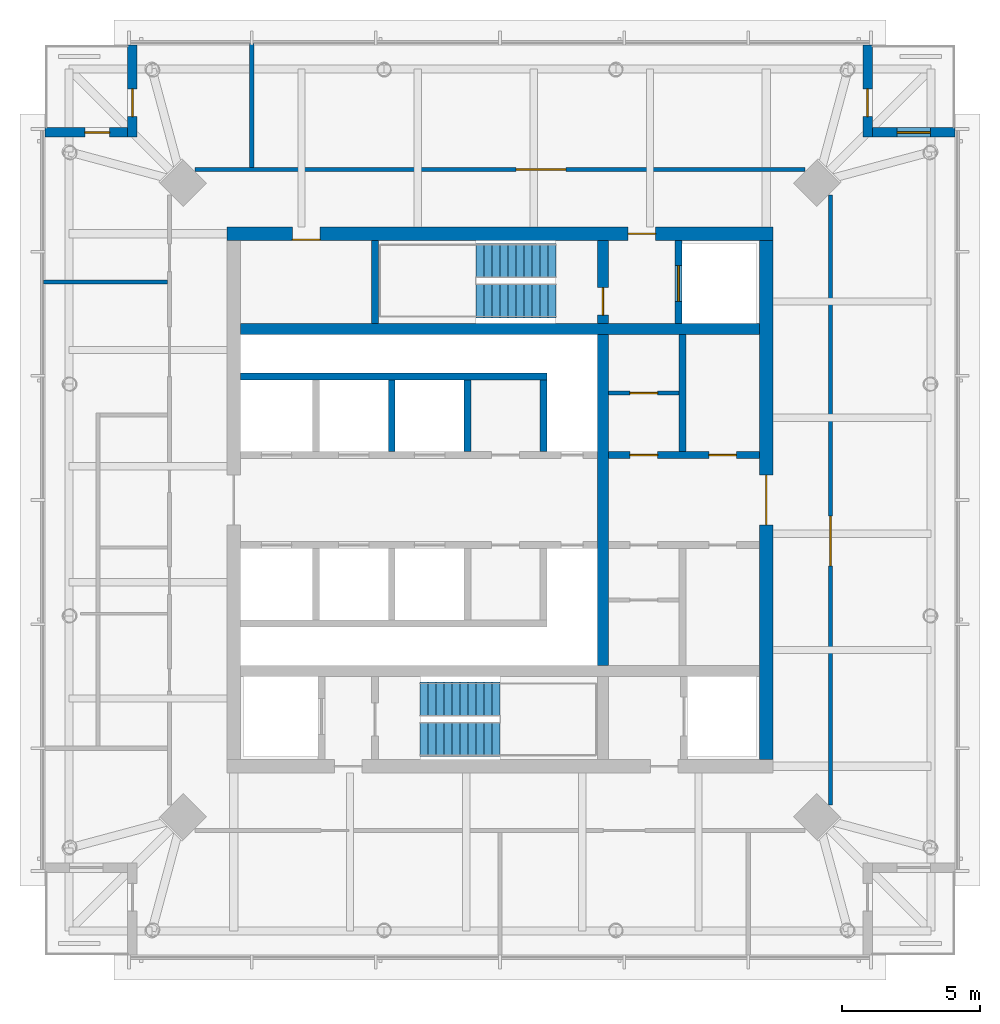
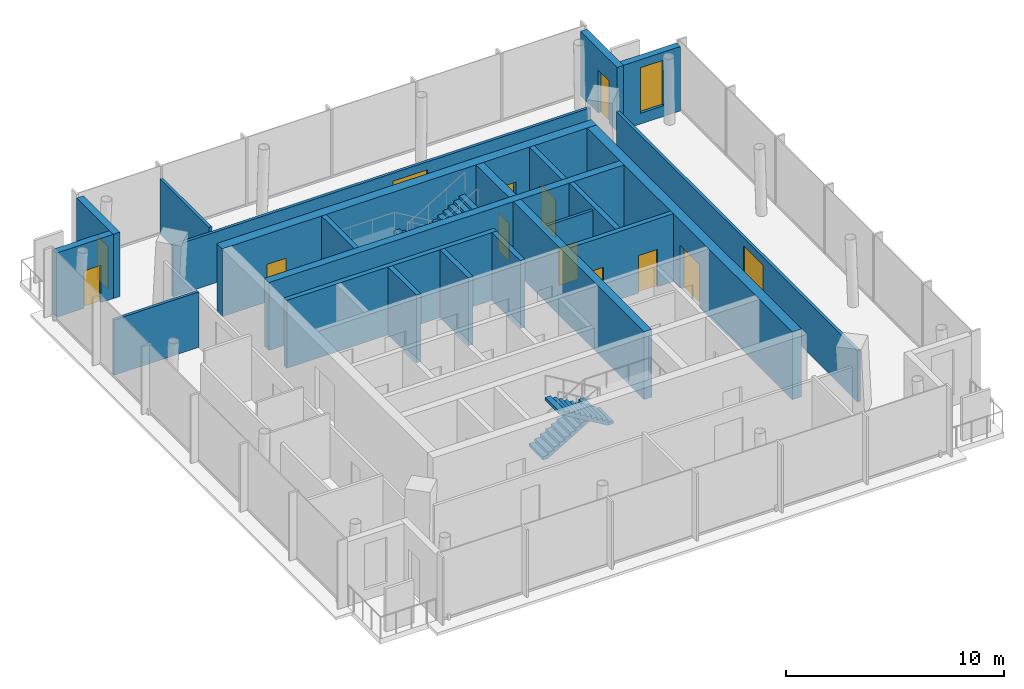
# One storey, part 5 of 8: 22 walls, 13 doors, 4 stair flights, 1 window, 14 openings, 2 elements without a shape of their own.
"""IFC4 building model written with IfcOpenShell, lengths in metres."""

from ifc_helpers import new_model, si_unit, direction, frame, frame_2d, origin, place, context, subcontext, project, spatial, polyline, rectangle, outline, extrude, material, layer, layer_set, type_object, element, fill, aggregate, save


model = new_model("IFC4")

# Units and contexts
model_context = context("Model", 3, precision=1e-05, world=origin(), true_north=direction((0.0, 1.0)))
body_context = subcontext(model_context, "Body", "Model", "MODEL_VIEW")
ifc_project = project(units=[si_unit("LENGTHUNIT", "METRE"), si_unit("AREAUNIT", "SQUARE_METRE"), si_unit("VOLUMEUNIT", "CUBIC_METRE"), si_unit("PLANEANGLEUNIT", "RADIAN"), si_unit("MASSUNIT", "GRAM", prefix="KILO")], contexts=[model_context])

# Site, building, storey
site_placement = place(None, origin())
site = spatial("IfcSite", under=ifc_project, at=site_placement, CompositionType="ELEMENT")
building_placement = place(site_placement, origin())
building = spatial("IfcBuilding", under=site, at=building_placement, Name="Ostroluk Exchange", CompositionType="ELEMENT")
storey_placement = place(building_placement, frame((0.0, 0.0, 283.199951171875)))
storey = spatial("IfcBuildingStorey", under=building, at=storey_placement, Name="L73", CompositionType="ELEMENT", Elevation=283.199951171875)

# Wall, opening, door
ifc_material_1 = material(Name="Concrete blockwork", Category="masonry")
ifc_layer_1 = layer(ifc_material_1, 0.14990234375)
ifc_layer_set_1 = layer_set([ifc_layer_1], Name="Blockwork plant room wall 150")
wall_type_1 = type_object("IfcWallType", Name="Blockwork plant room wall 150", PredefinedType="SOLIDWALL", material=ifc_layer_set_1)
wall_1_placement = place(storey_placement, frame((48.929931640625, 49.875, 0.0), z_axis=(0.0, 0.0, 1.0), x_axis=(1.0, 0.0, 0.0)))
wall_1 = element("IfcWall", 1, at=wall_1_placement, inside=storey, type_object=wall_type_1, Name="Core room wall", PredefinedType="SOLIDWALL", context=body_context, shape_type="SweptSolid", body=[
    extrude(rectangle(XDim=2.56005859375, YDim=0.14990234375, at=frame_2d((1.280029296875, 0.0))), origin(), (0.0, 0.0, 1.0), 3.60009765625),
])
opening_1_placement = place(wall_1_placement, frame((0.780029296875, 0.0, 0.0)))
opening_1 = element("IfcOpeningElement", 2, at=opening_1_placement, cuts=wall_1, Name="Opening FD60", PredefinedType="OPENING", context=body_context, shape_type="SweptSolid", body=[
    extrude(rectangle(XDim=1.0, YDim=2.10009765625, at=frame_2d((0.5, 1.050048828125))), frame((0.0, 0.0849609375, 0.0), z_axis=(0.0, -1.0, 0.0), x_axis=(1.0, 0.0, 0.0)), (0.0, 0.0, 1.0), 0.169921875),
])
ifc_material_2 = material(Name="Steel", Category="steel")
door_type_1 = type_object("IfcDoorType", Name="Fire door EI 60 1000 x 2100", OperationType="SINGLE_SWING_LEFT", PredefinedType="DOOR", material=ifc_material_2)
door_1_placement = place(opening_1_placement, origin())
door_1 = element("IfcDoor", 3, at=door_1_placement, inside=storey, type_object=door_type_1, Name="Stationery store door", OperationType="SINGLE_SWING_LEFT", OverallHeight=2.10009765625, OverallWidth=1.0, PredefinedType="DOOR", context=body_context, shape_type="SweptSolid", body=[
    extrude(rectangle(XDim=1.0, YDim=2.10009765625, at=frame_2d((0.5, 1.050048828125))), frame((0.0, 0.02490234375, 0.0), z_axis=(0.0, -1.0, 0.0), x_axis=(1.0, 0.0, 0.0)), (0.0, 0.0, 1.0), 0.050048828125),
])
fill(opening_1, door_1)

# Walls
wall_2_placement = place(storey_placement, frame((32.949951171875, 53.89990234375, 0.0), z_axis=(0.0, 0.0, 1.0), x_axis=(-1.0, 0.0, 0.0)))
element("IfcWall", 4, at=wall_2_placement, inside=storey, type_object=wall_type_1, Name="Plant room wall", PredefinedType="SOLIDWALL", context=body_context, shape_type="SweptSolid", body=[
    extrude(rectangle(XDim=4.489990234375, YDim=0.14990234375, at=frame_2d((2.2451171875, 0.0))), origin(), (0.0, 0.0, 1.0), 3.10009765625),
])
ifc_material_3 = material(Name="Concrete C50/60", Category="concrete")
ifc_layer_2 = layer(ifc_material_3, 0.39990234375)
ifc_layer_set_2 = layer_set([ifc_layer_2], Name="Core cross wall 400 C50/60")
wall_type_2 = type_object("IfcWallType", Name="Core cross wall 400 C50/60", PredefinedType="SHEAR", material=ifc_layer_set_2)
wall_3_placement = place(storey_placement, frame((35.60009765625, 52.199951171875, 0.0), z_axis=(0.0, 0.0, 1.0), x_axis=(1.0, 0.0, 0.0)))
element("IfcWall", 5, at=wall_3_placement, inside=storey, type_object=wall_type_2, Name="T1 core wall XN", PredefinedType="SHEAR", context=body_context, shape_type="SweptSolid", body=[
    extrude(rectangle(XDim=18.7998046875, YDim=0.39990234375, at=frame_2d((9.39990234375, 0.0))), origin(), (0.0, 0.0, 1.0), 3.800048828125),
])
wall_4_placement = place(storey_placement, frame((48.72998046875, 40.0, 0.0), z_axis=(0.0, 0.0, 1.0), x_axis=(0.0, 1.0, 0.0)))
element("IfcWall", 6, at=wall_4_placement, inside=storey, type_object=wall_type_2, Name="T1 core wall YE2", PredefinedType="SHEAR", context=body_context, shape_type="SweptSolid", body=[
    extrude(rectangle(XDim=12.0, YDim=0.39990234375, at=frame_2d((6.0, 0.0))), origin(), (0.0, 0.0, 1.0), 3.800048828125),
])

# Wall, opening, door
wall_5_placement = place(storey_placement, frame((48.72998046875, 52.39990234375, 0.0), z_axis=(0.0, 0.0, 1.0), x_axis=(0.0, 1.0, 0.0)))
wall_5 = element("IfcWall", 7, at=wall_5_placement, inside=storey, type_object=wall_type_2, Name="T1 core wall YE3", PredefinedType="SHEAR", context=body_context, shape_type="SweptSolid", body=[
    extrude(rectangle(XDim=3.0, YDim=0.39990234375, at=frame_2d((1.5, 0.0))), origin(), (0.0, 0.0, 1.0), 3.800048828125),
])
opening_2_placement = place(wall_5_placement, frame((0.300048828125, 0.0, 0.0)))
opening_2 = element("IfcOpeningElement", 8, at=opening_2_placement, cuts=wall_5, Name="Opening FD60", PredefinedType="OPENING", context=body_context, shape_type="SweptSolid", body=[
    extrude(rectangle(XDim=1.0, YDim=2.10009765625, at=frame_2d((0.5, 1.050048828125))), frame((0.0, 0.2099609375, 0.0), z_axis=(0.0, -1.0, 0.0), x_axis=(1.0, 0.0, 0.0)), (0.0, 0.0, 1.0), 0.419921875),
])
door_2_placement = place(opening_2_placement, origin())
door_2 = element("IfcDoor", 9, at=door_2_placement, inside=storey, type_object=door_type_1, Name="Stair T1-S2 door", OperationType="SINGLE_SWING_LEFT", OverallHeight=2.10009765625, OverallWidth=1.0, PredefinedType="DOOR", context=body_context, shape_type="SweptSolid", body=[
    extrude(rectangle(XDim=1.0, YDim=2.10009765625, at=frame_2d((0.5, 1.050048828125))), frame((0.0, 0.02490234375, 0.0), z_axis=(0.0, -1.0, 0.0), x_axis=(1.0, 0.0, 0.0)), (0.0, 0.0, 1.0), 0.050048828125),
])
fill(opening_2, door_2)

# Wall
ifc_material_4 = material(Name="Concrete C40/50", Category="concrete")
ifc_layer_3 = layer(ifc_material_4, 0.25)
ifc_layer_set_3 = layer_set([ifc_layer_3], Name="Core shaft wall 250")
wall_type_3 = type_object("IfcWallType", Name="Core shaft wall 250", PredefinedType="SHEAR", material=ifc_layer_set_3)
wall_6_placement = place(storey_placement, frame((40.47509765625, 52.39990234375, 0.0), z_axis=(0.0, 0.0, 1.0), x_axis=(0.0, 1.0, 0.0)))
element("IfcWall", 10, at=wall_6_placement, inside=storey, type_object=wall_type_3, Name="Stair shaft wall", PredefinedType="SHEAR", context=body_context, shape_type="SweptSolid", body=[
    extrude(rectangle(XDim=3.0, YDim=0.25, at=frame_2d((1.5, 0.0))), origin(), (0.0, 0.0, 1.0), 3.800048828125),
])

# Wall, opening, door
wall_7_placement = place(storey_placement, frame((51.47509765625, 52.39990234375, 0.0), z_axis=(0.0, 0.0, 1.0), x_axis=(0.0, 1.0, 0.0)))
wall_7 = element("IfcWall", 11, at=wall_7_placement, inside=storey, type_object=wall_type_3, Name="Firefighting lift shaft wall", PredefinedType="SHEAR", context=body_context, shape_type="SweptSolid", body=[
    extrude(rectangle(XDim=3.0, YDim=0.25, at=frame_2d((1.5, 0.0))), origin(), (0.0, 0.0, 1.0), 3.800048828125),
])
opening_3_placement = place(wall_7_placement, frame((0.800048828125, 0.0, 0.0)))
opening_3 = element("IfcOpeningElement", 12, at=opening_3_placement, cuts=wall_7, Name="Opening LD2", PredefinedType="OPENING", context=body_context, shape_type="SweptSolid", body=[
    extrude(rectangle(XDim=1.300048828125, YDim=2.199951171875, at=frame_2d((0.64990234375, 1.10009765625))), frame((0.0, 0.135009765625, 0.0), z_axis=(0.0, -1.0, 0.0), x_axis=(1.0, 0.0, 0.0)), (0.0, 0.0, 1.0), 0.27001953125),
])
ifc_material_5 = material(Name="Stainless steel", Category="steel")
door_type_2 = type_object("IfcDoorType", Name="Lift landing door E 60 1300 x 2200", OperationType="DOUBLE_DOOR_SLIDING", PredefinedType="DOOR", material=ifc_material_5)
door_3_placement = place(opening_3_placement, origin())
door_3 = element("IfcDoor", 13, at=door_3_placement, inside=storey, type_object=door_type_2, Name="Lift FL2 landing door", OperationType="DOUBLE_DOOR_SLIDING", OverallHeight=2.199951171875, OverallWidth=1.300048828125, PredefinedType="DOOR", context=body_context, shape_type="SweptSolid", body=[
    extrude(rectangle(XDim=1.300048828125, YDim=2.199951171875, at=frame_2d((0.64990234375, 1.10009765625))), frame((0.0, 0.02490234375, 0.0), z_axis=(0.0, -1.0, 0.0), x_axis=(1.0, 0.0, 0.0)), (0.0, 0.0, 1.0), 0.050048828125),
])
fill(opening_3, door_3)

# Walls
for number, where, z_axis, x_axis, name in (
    (14, (41.074951171875, 47.75, 0.0), (0.0, 0.0, 1.0), (0.0, 1.0, 0.0), "Lift shaft wall"),
    (15, (43.824951171875, 47.75, 0.0), (0.0, 0.0, 1.0), (0.0, 1.0, 0.0), "Lift shaft wall"),
    (16, (46.574951171875, 47.75, 0.0), (0.0, 0.0, 1.0), (0.0, 1.0, 0.0), "Lift shaft wall"),
):
    element("IfcWall", number, at=place(storey_placement, frame(where, z_axis=z_axis, x_axis=x_axis)), inside=storey, type_object=wall_type_3, Name=name, PredefinedType="SHEAR", context=body_context, shape_type="SweptSolid", body=[
        extrude(rectangle(XDim=2.60009765625, YDim=0.25, at=frame_2d((1.300048828125, 0.0))), origin(), (0.0, 0.0, 1.0), 3.800048828125),
    ])
wall_8_placement = place(storey_placement, frame((35.60009765625, 50.47509765625, 0.0), z_axis=(0.0, 0.0, 1.0), x_axis=(1.0, 0.0, 0.0)))
element("IfcWall", 17, at=wall_8_placement, inside=storey, type_object=wall_type_3, Name="Lift shaft wall", PredefinedType="SHEAR", context=body_context, shape_type="SweptSolid", body=[
    extrude(rectangle(XDim=11.099853515625, YDim=0.25, at=frame_2d((5.5498046875, 0.0))), origin(), (0.0, 0.0, 1.0), 3.800048828125),
])
wall_9_placement = place(storey_placement, frame((51.614990234375, 47.75, 0.0), z_axis=(0.0, 0.0, 1.0), x_axis=(0.0, 1.0, 0.0)))
element("IfcWall", 18, at=wall_9_placement, inside=storey, type_object=wall_type_3, Name="Lift shaft wall", PredefinedType="SHEAR", context=body_context, shape_type="SweptSolid", body=[
    extrude(rectangle(XDim=4.25, YDim=0.25, at=frame_2d((2.125, 0.0))), origin(), (0.0, 0.0, 1.0), 3.800048828125),
])

# Wall, openings, doors
wall_10_placement = place(storey_placement, frame((48.929931640625, 47.625, 0.0), z_axis=(0.0, 0.0, 1.0), x_axis=(1.0, 0.0, 0.0)))
wall_10 = element("IfcWall", 19, at=wall_10_placement, inside=storey, type_object=wall_type_3, Name="Lift shaft front wall", PredefinedType="SHEAR", context=body_context, shape_type="SweptSolid", body=[
    extrude(rectangle(XDim=5.469970703125, YDim=0.25, at=frame_2d((2.73486328125, 0.0))), origin(), (0.0, 0.0, 1.0), 3.800048828125),
])
opening_4_placement = place(wall_10_placement, frame((0.780029296875, 0.0, 0.0)))
opening_4 = element("IfcOpeningElement", 20, at=opening_4_placement, cuts=wall_10, Name="Opening FD60", PredefinedType="OPENING", context=body_context, shape_type="SweptSolid", body=[
    extrude(rectangle(XDim=1.0, YDim=2.10009765625, at=frame_2d((0.5, 1.050048828125))), frame((0.0, 0.135009765625, 0.0), z_axis=(0.0, -1.0, 0.0), x_axis=(1.0, 0.0, 0.0)), (0.0, 0.0, 1.0), 0.27001953125),
])
opening_5_placement = place(wall_10_placement, frame((3.639892578125, 0.0, 0.0)))
opening_5 = element("IfcOpeningElement", 21, at=opening_5_placement, cuts=wall_10, Name="Opening FD60", PredefinedType="OPENING", context=body_context, shape_type="SweptSolid", body=[
    extrude(rectangle(XDim=1.0, YDim=2.10009765625, at=frame_2d((0.5, 1.050048828125))), frame((0.0, 0.135009765625, 0.0), z_axis=(0.0, -1.0, 0.0), x_axis=(1.0, 0.0, 0.0)), (0.0, 0.0, 1.0), 0.27001953125),
])
door_4_placement = place(opening_4_placement, origin())
door_4 = element("IfcDoor", 22, at=door_4_placement, inside=storey, type_object=door_type_1, Name="Core room door", OperationType="SINGLE_SWING_LEFT", OverallHeight=2.10009765625, OverallWidth=1.0, PredefinedType="DOOR", context=body_context, shape_type="SweptSolid", body=[
    extrude(rectangle(XDim=1.0, YDim=2.10009765625, at=frame_2d((0.5, 1.050048828125))), frame((0.0, 0.02490234375, 0.0), z_axis=(0.0, -1.0, 0.0), x_axis=(1.0, 0.0, 0.0)), (0.0, 0.0, 1.0), 0.050048828125),
])
fill(opening_4, door_4)
door_5_placement = place(opening_5_placement, origin())
door_5 = element("IfcDoor", 23, at=door_5_placement, inside=storey, type_object=door_type_1, Name="Core room door", OperationType="SINGLE_SWING_RIGHT", OverallHeight=2.10009765625, OverallWidth=1.0, PredefinedType="DOOR", context=body_context, shape_type="SweptSolid", body=[
    extrude(rectangle(XDim=1.0, YDim=2.10009765625, at=frame_2d((0.5, 1.050048828125))), frame((0.0, 0.02490234375, 0.0), z_axis=(0.0, -1.0, 0.0), x_axis=(1.0, 0.0, 0.0)), (0.0, 0.0, 1.0), 0.050048828125),
])
fill(opening_5, door_5)

ifc_material_6 = material(Name="Concrete C50/60", Category="concrete")
ifc_layer_4 = layer(ifc_material_6, 0.5)
ifc_layer_set_4 = layer_set([ifc_layer_4], Name="Core wall 500 C50/60")
wall_type_4 = type_object("IfcWallType", Name="Core wall 500 C50/60", PredefinedType="SHEAR", material=ifc_layer_set_4)
wall_11_placement = place(storey_placement, frame((35.10009765625, 55.64990234375, 0.0), z_axis=(0.0, 0.0, 1.0), x_axis=(1.0, 0.0, 0.0)))
wall_11 = element("IfcWall", 24, at=wall_11_placement, inside=storey, type_object=wall_type_4, Name="T1 core wall N", PredefinedType="SHEAR", context=body_context, shape_type="SweptSolid", body=[
    extrude(rectangle(XDim=19.7998046875, YDim=0.5, at=frame_2d((9.89990234375, 0.0))), origin(), (0.0, 0.0, 1.0), 3.800048828125),
])
opening_6_placement = place(wall_11_placement, frame((14.5400390625, 0.0, 0.0)))
opening_6 = element("IfcOpeningElement", 25, at=opening_6_placement, cuts=wall_11, Name="Opening FD60", PredefinedType="OPENING", context=body_context, shape_type="SweptSolid", body=[
    extrude(rectangle(XDim=1.0, YDim=2.10009765625, at=frame_2d((0.5, 1.050048828125))), frame((0.0, 0.260009765625, 0.0), z_axis=(0.0, -1.0, 0.0), x_axis=(1.0, 0.0, 0.0)), (0.0, 0.0, 1.0), 0.52001953125),
])
opening_7_placement = place(wall_11_placement, frame((2.375, 0.0, 0.0)))
opening_7 = element("IfcOpeningElement", 26, at=opening_7_placement, cuts=wall_11, Name="Opening FD60", PredefinedType="OPENING", context=body_context, shape_type="SweptSolid", body=[
    extrude(rectangle(XDim=1.0, YDim=2.10009765625, at=frame_2d((0.5, 1.050048828125))), frame((0.0, 0.260009765625, 0.0), z_axis=(0.0, -1.0, 0.0), x_axis=(1.0, 0.0, 0.0)), (0.0, 0.0, 1.0), 0.52001953125),
])
door_6_placement = place(opening_6_placement, origin())
door_6 = element("IfcDoor", 27, at=door_6_placement, inside=storey, type_object=door_type_1, Name="Firefighting lobby door", OperationType="SINGLE_SWING_RIGHT", OverallHeight=2.10009765625, OverallWidth=1.0, PredefinedType="DOOR", context=body_context, shape_type="SweptSolid", body=[
    extrude(rectangle(XDim=1.0, YDim=2.10009765625, at=frame_2d((0.5, 1.050048828125))), frame((0.0, 0.02490234375, 0.0), z_axis=(0.0, -1.0, 0.0), x_axis=(1.0, 0.0, 0.0)), (0.0, 0.0, 1.0), 0.050048828125),
])
fill(opening_6, door_6)
door_7_placement = place(opening_7_placement, origin())
door_7 = element("IfcDoor", 28, at=door_7_placement, inside=storey, type_object=door_type_1, Name="Tea point door", OperationType="SINGLE_SWING_LEFT", OverallHeight=2.10009765625, OverallWidth=1.0, PredefinedType="DOOR", context=body_context, shape_type="SweptSolid", body=[
    extrude(rectangle(XDim=1.0, YDim=2.10009765625, at=frame_2d((0.5, 1.050048828125))), frame((0.0, -0.18994140625, 0.0), z_axis=(0.0, -1.0, 0.0), x_axis=(1.0, 0.0, 0.0)), (0.0, 0.0, 1.0), 0.050048828125),
])
fill(opening_7, door_7)

# Wall, opening, door
wall_12_placement = place(storey_placement, frame((54.64990234375, 36.60009765625, 0.0), z_axis=(0.0, 0.0, 1.0), x_axis=(0.0, 1.0, 0.0)))
wall_12 = element("IfcWall", 29, at=wall_12_placement, inside=storey, type_object=wall_type_4, Name="T1 core wall E", PredefinedType="SHEAR", context=body_context, shape_type="SweptSolid", body=[
    extrude(rectangle(XDim=18.7998046875, YDim=0.5, at=frame_2d((9.39990234375, 0.0))), origin(), (0.0, 0.0, 1.0), 3.800048828125),
])
opening_8_placement = place(wall_12_placement, frame((8.5, 0.0, 0.0)))
opening_8 = element("IfcOpeningElement", 30, at=opening_8_placement, cuts=wall_12, Name="Opening FD30D", PredefinedType="OPENING", context=body_context, shape_type="SweptSolid", body=[
    extrude(rectangle(XDim=1.800048828125, YDim=2.39990234375, at=frame_2d((0.89990234375, 1.199951171875))), frame((0.0, 0.260009765625, 0.0), z_axis=(0.0, -1.0, 0.0), x_axis=(1.0, 0.0, 0.0)), (0.0, 0.0, 1.0), 0.52001953125),
])
ifc_material_7 = material(Name="Timber", Category="wood")
door_type_3 = type_object("IfcDoorType", Name="Lobby double door EI 30 1800 x 2400", OperationType="DOUBLE_DOOR_SINGLE_SWING", PredefinedType="DOOR", material=ifc_material_7)
door_8_placement = place(opening_8_placement, origin())
door_8 = element("IfcDoor", 31, at=door_8_placement, inside=storey, type_object=door_type_3, Name="Lift lobby doors", OperationType="DOUBLE_DOOR_SINGLE_SWING", OverallHeight=2.39990234375, OverallWidth=1.800048828125, PredefinedType="DOOR", context=body_context, shape_type="SweptSolid", body=[
    extrude(rectangle(XDim=1.800048828125, YDim=2.39990234375, at=frame_2d((0.89990234375, 1.199951171875))), frame((0.0, 0.02490234375, 0.0), z_axis=(0.0, -1.0, 0.0), x_axis=(1.0, 0.0, 0.0)), (0.0, 0.0, 1.0), 0.050048828125),
])
fill(opening_8, door_8)

ifc_material_8 = material(Name="Limestone", Category="masonry")
ifc_layer_5 = layer(ifc_material_8, 0.35009765625)
ifc_layer_set_5 = layer_set([ifc_layer_5], Name="Limestone facade wall 350")
wall_type_5 = type_object("IfcWallType", Name="Limestone facade wall 350", PredefinedType="SOLIDWALL", material=ifc_layer_set_5)
wall_13_placement = place(storey_placement, frame((58.324951171875, 62.5, 0.0), z_axis=(0.0, 0.0, 1.0), x_axis=(0.0, -1.0, 0.0)))
wall_13 = element("IfcWall", 32, at=wall_13_placement, inside=storey, type_object=wall_type_5, Name="Office tower NE corner wall L73 a", PredefinedType="SOLIDWALL", context=body_context, shape_type="SweptSolid", body=[
    extrude(rectangle(XDim=3.35009765625, YDim=0.35009765625, at=frame_2d((1.675048828125, 0.0))), origin(), (0.0, 0.0, 1.0), 3.60009765625),
])
opening_9_placement = place(wall_13_placement, frame((1.60009765625, 0.0, 0.0)))
opening_9 = element("IfcOpeningElement", 33, at=opening_9_placement, cuts=wall_13, Name="Opening D-B1", PredefinedType="OPENING", context=body_context, shape_type="SweptSolid", body=[
    extrude(rectangle(XDim=1.0, YDim=2.39990234375, at=frame_2d((0.5, 1.199951171875))), frame((0.0, 0.18505859375, 0.0), z_axis=(0.0, -1.0, 0.0), x_axis=(1.0, 0.0, 0.0)), (0.0, 0.0, 1.0), 0.3701171875),
])
ifc_material_9 = material(Name="Bronze framed glazed door", Category="aluminium")
door_type_4 = type_object("IfcDoorType", Name="Balcony door 1000 x 2400", OperationType="SINGLE_SWING_LEFT", PredefinedType="DOOR", material=ifc_material_9)
door_9_placement = place(opening_9_placement, origin())
door_9 = element("IfcDoor", 34, at=door_9_placement, inside=storey, type_object=door_type_4, Name="Office tower NE balcony door L73", OperationType="SINGLE_SWING_RIGHT", OverallHeight=2.39990234375, OverallWidth=1.0, PredefinedType="DOOR", context=body_context, shape_type="SweptSolid", body=[
    extrude(rectangle(XDim=1.0, YDim=2.39990234375, at=frame_2d((0.5, 1.199951171875))), frame((0.0, 0.02490234375, 0.0), z_axis=(0.0, -1.0, 0.0), x_axis=(1.0, 0.0, 0.0)), (0.0, 0.0, 1.0), 0.050048828125),
])
fill(opening_9, door_9)

# Wall, opening, window
wall_14_placement = place(storey_placement, frame((58.5, 59.324951171875, 0.0), z_axis=(0.0, 0.0, 1.0), x_axis=(1.0, 0.0, 0.0)))
wall_14 = element("IfcWall", 35, at=wall_14_placement, inside=storey, type_object=wall_type_5, Name="Office tower NE corner wall L73 b", PredefinedType="SOLIDWALL", context=body_context, shape_type="SweptSolid", body=[
    extrude(rectangle(XDim=3.0, YDim=0.35009765625, at=frame_2d((1.5, 0.0))), origin(), (0.0, 0.0, 1.0), 3.60009765625),
])
opening_10_placement = place(wall_14_placement, frame((0.89990234375, 0.0, 0.60009765625)))
opening_10 = element("IfcOpeningElement", 36, at=opening_10_placement, cuts=wall_14, Name="Opening WN-L1", PredefinedType="OPENING", context=body_context, shape_type="SweptSolid", body=[
    extrude(rectangle(XDim=1.199951171875, YDim=2.550048828125, at=frame_2d((0.60009765625, 1.27490234375))), frame((0.0, 0.18505859375, 0.0), z_axis=(0.0, -1.0, 0.0), x_axis=(1.0, 0.0, 0.0)), (0.0, 0.0, 1.0), 0.3701171875),
])
ifc_material_10 = material(Name="Laminated clear glass", Category="glass")
window_type = type_object("IfcWindowType", Name="Lancet window 1200 x 2550", PartitioningType="SINGLE_PANEL", PredefinedType="WINDOW", material=ifc_material_10)
window_placement = place(opening_10_placement, origin())
window = element("IfcWindow", 37, at=window_placement, inside=storey, type_object=window_type, Name="Office tower NE lancet window L73", OverallHeight=2.550048828125, OverallWidth=1.199951171875, PartitioningType="SINGLE_PANEL", PredefinedType="WINDOW", context=body_context, shape_type="SweptSolid", body=[
    extrude(rectangle(XDim=1.199951171875, YDim=2.550048828125, at=frame_2d((0.60009765625, 1.27490234375))), frame((0.0, 0.030029296875, 0.0), z_axis=(0.0, -1.0, 0.0), x_axis=(1.0, 0.0, 0.0)), (0.0, 0.0, 1.0), 0.06005859375),
])
fill(opening_10, window)

# Wall, opening, door
wall_15_placement = place(storey_placement, frame((31.675048828125, 62.5, 0.0), z_axis=(0.0, 0.0, 1.0), x_axis=(0.0, -1.0, 0.0)))
wall_15 = element("IfcWall", 38, at=wall_15_placement, inside=storey, type_object=wall_type_5, Name="Office tower NW corner wall L73 a", PredefinedType="SOLIDWALL", context=body_context, shape_type="SweptSolid", body=[
    extrude(rectangle(XDim=3.35009765625, YDim=0.35009765625, at=frame_2d((1.675048828125, 0.0))), origin(), (0.0, 0.0, 1.0), 3.60009765625),
])
opening_11_placement = place(wall_15_placement, frame((1.60009765625, 0.0, 0.0)))
opening_11 = element("IfcOpeningElement", 39, at=opening_11_placement, cuts=wall_15, Name="Opening D-B1", PredefinedType="OPENING", context=body_context, shape_type="SweptSolid", body=[
    extrude(rectangle(XDim=1.0, YDim=2.39990234375, at=frame_2d((0.5, 1.199951171875))), frame((0.0, 0.18505859375, 0.0), z_axis=(0.0, -1.0, 0.0), x_axis=(1.0, 0.0, 0.0)), (0.0, 0.0, 1.0), 0.3701171875),
])
door_10_placement = place(opening_11_placement, origin())
door_10 = element("IfcDoor", 40, at=door_10_placement, inside=storey, type_object=door_type_4, Name="Office tower NW balcony door L73", OperationType="SINGLE_SWING_RIGHT", OverallHeight=2.39990234375, OverallWidth=1.0, PredefinedType="DOOR", context=body_context, shape_type="SweptSolid", body=[
    extrude(rectangle(XDim=1.0, YDim=2.39990234375, at=frame_2d((0.5, 1.199951171875))), frame((0.0, 0.02490234375, 0.0), z_axis=(0.0, -1.0, 0.0), x_axis=(1.0, 0.0, 0.0)), (0.0, 0.0, 1.0), 0.050048828125),
])
fill(opening_11, door_10)

wall_16_placement = place(storey_placement, frame((31.5, 59.324951171875, 0.0), z_axis=(0.0, 0.0, 1.0), x_axis=(-1.0, 0.0, 0.0)))
wall_16 = element("IfcWall", 41, at=wall_16_placement, inside=storey, type_object=wall_type_5, Name="Office tower NW corner wall L73 b", PredefinedType="SOLIDWALL", context=body_context, shape_type="SweptSolid", body=[
    extrude(rectangle(XDim=3.0, YDim=0.35009765625, at=frame_2d((1.5, 0.0))), origin(), (0.0, 0.0, 1.0), 3.60009765625),
])
opening_12_placement = place(wall_16_placement, frame((0.64990234375, 0.0, 0.0)))
opening_12 = element("IfcOpeningElement", 42, at=opening_12_placement, cuts=wall_16, Name="Opening D-M1", PredefinedType="OPENING", context=body_context, shape_type="SweptSolid", body=[
    extrude(rectangle(XDim=0.89990234375, YDim=2.10009765625, at=frame_2d((0.449951171875, 1.050048828125))), frame((0.0, 0.18505859375, 0.0), z_axis=(0.0, -1.0, 0.0), x_axis=(1.0, 0.0, 0.0)), (0.0, 0.0, 1.0), 0.3701171875),
])
ifc_material_11 = material(Name="Steel door", Category="steel")
door_type_5 = type_object("IfcDoorType", Name="Maintenance access door 900 x 2100", OperationType="SINGLE_SWING_LEFT", PredefinedType="DOOR", material=ifc_material_11)
door_11_placement = place(opening_12_placement, origin())
door_11 = element("IfcDoor", 43, at=door_11_placement, inside=storey, type_object=door_type_5, Name="Maintenance access door T1 L73 NW", OperationType="SINGLE_SWING_LEFT", OverallHeight=2.10009765625, OverallWidth=0.89990234375, PredefinedType="DOOR", context=body_context, shape_type="SweptSolid", body=[
    extrude(rectangle(XDim=0.89990234375, YDim=2.10009765625, at=frame_2d((0.449951171875, 1.050048828125))), frame((0.0, 0.02490234375, 0.0), z_axis=(0.0, -1.0, 0.0), x_axis=(1.0, 0.0, 0.0)), (0.0, 0.0, 1.0), 0.050048828125),
])
fill(opening_12, door_11)

ifc_material_12 = material(Name="Gypsum plasterboard partition", Category="gypsum")
ifc_layer_6 = layer(ifc_material_12, 0.14990234375)
ifc_layer_set_6 = layer_set([ifc_layer_6], Name="Plasterboard partition 150")
wall_type_6 = type_object("IfcWallType", Name="Plasterboard partition 150", PredefinedType="PARTITIONING", material=ifc_layer_set_6)
wall_17_placement = place(storey_placement, frame((56.97509765625, 34.948486328125, 0.0), z_axis=(0.0, 0.0, 1.0), x_axis=(0.0, 1.0, 0.0)))
wall_17 = element("IfcWall", 44, at=wall_17_placement, inside=storey, type_object=wall_type_6, Name="Corridor wall", PredefinedType="PARTITIONING", context=body_context, shape_type="SweptSolid", body=[
    extrude(rectangle(XDim=22.10302734375, YDim=0.14990234375, at=frame_2d((11.051513671875, 0.0))), origin(), (0.0, 0.0, 1.0), 2.84716796875),
])
opening_13_placement = place(wall_17_placement, frame((8.6640625, 0.0, 0.0)))
opening_13 = element("IfcOpeningElement", 45, at=opening_13_placement, cuts=wall_17, Name="Opening D-04", PredefinedType="OPENING", context=body_context, shape_type="SweptSolid", body=[
    extrude(rectangle(XDim=1.800048828125, YDim=2.39990234375, at=frame_2d((0.89990234375, 1.199951171875))), frame((0.0, 0.0849609375, 0.0), z_axis=(0.0, -1.0, 0.0), x_axis=(1.0, 0.0, 0.0)), (0.0, 0.0, 1.0), 0.169921875),
])
ifc_material_13 = material(Name="Timber", Category="wood")
door_type_6 = type_object("IfcDoorType", Name="Double door 1800 x 2400", OperationType="DOUBLE_DOOR_SINGLE_SWING", PredefinedType="DOOR", material=ifc_material_13)
door_12_placement = place(opening_13_placement, origin())
door_12 = element("IfcDoor", 46, at=door_12_placement, inside=storey, type_object=door_type_6, Name="Winter garden door", OperationType="DOUBLE_DOOR_SINGLE_SWING", OverallHeight=2.39990234375, OverallWidth=1.800048828125, PredefinedType="DOOR", context=body_context, shape_type="SweptSolid", body=[
    extrude(rectangle(XDim=1.800048828125, YDim=2.39990234375, at=frame_2d((0.89990234375, 1.199951171875))), frame((0.0, 0.02490234375, 0.0), z_axis=(0.0, -1.0, 0.0), x_axis=(1.0, 0.0, 0.0)), (0.0, 0.0, 1.0), 0.050048828125),
])
fill(opening_13, door_12)

wall_18_placement = place(storey_placement, frame((56.051513671875, 57.97509765625, 0.0), z_axis=(0.0, 0.0, 1.0), x_axis=(-1.0, 0.0, 0.0)))
wall_18 = element("IfcWall", 47, at=wall_18_placement, inside=storey, type_object=wall_type_6, Name="Corridor wall", PredefinedType="PARTITIONING", context=body_context, shape_type="SweptSolid", body=[
    extrude(rectangle(XDim=22.10302734375, YDim=0.14990234375, at=frame_2d((11.051513671875, 0.0))), origin(), (0.0, 0.0, 1.0), 2.84716796875),
])
opening_14_placement = place(wall_18_placement, frame((8.6640625, 0.0, 0.0)))
opening_14 = element("IfcOpeningElement", 48, at=opening_14_placement, cuts=wall_18, Name="Opening D-04", PredefinedType="OPENING", context=body_context, shape_type="SweptSolid", body=[
    extrude(rectangle(XDim=1.800048828125, YDim=2.39990234375, at=frame_2d((0.89990234375, 1.199951171875))), frame((0.0, 0.0849609375, 0.0), z_axis=(0.0, -1.0, 0.0), x_axis=(1.0, 0.0, 0.0)), (0.0, 0.0, 1.0), 0.169921875),
])
door_13_placement = place(opening_14_placement, origin())
door_13 = element("IfcDoor", 49, at=door_13_placement, inside=storey, type_object=door_type_6, Name="Winter garden door", OperationType="DOUBLE_DOOR_SINGLE_SWING", OverallHeight=2.39990234375, OverallWidth=1.800048828125, PredefinedType="DOOR", context=body_context, shape_type="SweptSolid", body=[
    extrude(rectangle(XDim=1.800048828125, YDim=2.39990234375, at=frame_2d((0.89990234375, 1.199951171875))), frame((0.0, 0.02490234375, 0.0), z_axis=(0.0, -1.0, 0.0), x_axis=(1.0, 0.0, 0.0)), (0.0, 0.0, 1.0), 0.050048828125),
])
fill(opening_14, door_13)

# Wall
wall_19_placement = place(storey_placement, frame((36.0, 58.050048828125, 0.0), z_axis=(0.0, 0.0, 1.0), x_axis=(0.0, 1.0, 0.0)))
element("IfcWall", 50, at=wall_19_placement, inside=storey, type_object=wall_type_6, Name="Partition", PredefinedType="PARTITIONING", context=body_context, shape_type="SweptSolid", body=[
    extrude(rectangle(XDim=4.489990234375, YDim=0.14990234375, at=frame_2d((2.2451171875, 0.0))), origin(), (0.0, 0.0, 1.0), 3.10009765625),
])

# Stair, stair flights
ifc_material_14 = material(Name="Concrete C30/37", Category="concrete")
stair_type = type_object("IfcStairType", Name="Exit stair half turn 3800", PredefinedType="HALF_TURN_STAIR", material=ifc_material_14)
stair_1_placement = place(storey_placement, origin())
stair_1 = element("IfcStair", 51, at=stair_1_placement, inside=storey, type_object=stair_type, Name="Stair T1-S1 L73", PredefinedType="HALF_TURN_STAIR")
ifc_material_15 = material(Name="Concrete C30/37", Category="concrete")
stair_flight_type = type_object("IfcStairFlightType", Name="Stair flight 11 risers 172.7 x 290", PredefinedType="STRAIGHT", material=ifc_material_15)
stair_flight_1_placement = place(storey_placement, frame((42.10009765625, 38.77490234375, 0.0), z_axis=(0.0, 0.0, 1.0), x_axis=(1.0, 0.0, 0.0)))
stair_flight_1 = element("IfcStairFlight", 52, at=stair_flight_1_placement, type_object=stair_flight_type, Name="T1-S1 flight 1", NumberOfRisers=11, NumberOfTreads=10, PredefinedType="STRAIGHT", RiserHeight=0.172727273, TreadLength=0.29, context=body_context, shape_type="SweptSolid", body=[
    extrude(outline(polyline([(0.0, 0.0), (0.0, 0.172607421875), (0.2900390625, 0.172607421875), (0.2900390625, 0.345458984375), (0.580078125, 0.345458984375), (0.580078125, 0.51806640625), (0.8701171875, 0.51806640625), (0.8701171875, 0.69091796875), (1.159912109375, 0.69091796875), (1.159912109375, 0.863525390625), (1.449951171875, 0.863525390625), (1.449951171875, 1.036376953125), (1.739990234375, 1.036376953125), (1.739990234375, 1.208984375), (2.030029296875, 1.208984375), (2.030029296875, 1.3818359375), (2.320068359375, 1.3818359375), (2.320068359375, 1.554443359375), (2.610107421875, 1.554443359375), (2.610107421875, 1.727294921875), (2.89990234375, 1.727294921875), (2.89990234375, 1.89990234375), (2.89990234375, 1.552734375), (0.29296875, 0.0), (0.0, 0.0)])), frame((0.0, 0.625, 0.0), z_axis=(0.0, -1.0, 0.0), x_axis=(1.0, 0.0, 0.0)), (0.0, 0.0, 1.0), 1.25),
])
stair_flight_2_placement = place(storey_placement, frame((45.0, 37.324951171875, 1.900146484375), z_axis=(0.0, 0.0, 1.0), x_axis=(-1.0, 0.0, 0.0)))
stair_flight_2 = element("IfcStairFlight", 53, at=stair_flight_2_placement, type_object=stair_flight_type, Name="T1-S1 flight 2", NumberOfRisers=11, NumberOfTreads=10, PredefinedType="STRAIGHT", RiserHeight=0.172727273, TreadLength=0.29, context=body_context, shape_type="SweptSolid", body=[
    extrude(outline(polyline([(0.0, 0.0), (0.0, 0.172607421875), (0.2900390625, 0.172607421875), (0.2900390625, 0.345458984375), (0.580078125, 0.345458984375), (0.580078125, 0.51806640625), (0.8701171875, 0.51806640625), (0.8701171875, 0.69091796875), (1.159912109375, 0.69091796875), (1.159912109375, 0.863525390625), (1.449951171875, 0.863525390625), (1.449951171875, 1.036376953125), (1.739990234375, 1.036376953125), (1.739990234375, 1.208984375), (2.030029296875, 1.208984375), (2.030029296875, 1.3818359375), (2.320068359375, 1.3818359375), (2.320068359375, 1.554443359375), (2.610107421875, 1.554443359375), (2.610107421875, 1.727294921875), (2.89990234375, 1.727294921875), (2.89990234375, 1.89990234375), (2.89990234375, 1.552734375), (0.29296875, 0.0), (0.0, 0.0)])), frame((0.0, 0.625, 0.0), z_axis=(0.0, -1.0, 0.0), x_axis=(1.0, 0.0, 0.0)), (0.0, 0.0, 1.0), 1.25),
])
aggregate(stair_1, [stair_flight_1, stair_flight_2])

stair_2_placement = place(storey_placement, origin())
stair_2 = element("IfcStair", 54, at=stair_2_placement, inside=storey, type_object=stair_type, Name="Stair T1-S2 L73", PredefinedType="HALF_TURN_STAIR")
stair_flight_3_placement = place(storey_placement, frame((47.030029296875, 54.675048828125, 0.0), z_axis=(0.0, 0.0, 1.0), x_axis=(-1.0, 0.0, 0.0)))
stair_flight_3 = element("IfcStairFlight", 55, at=stair_flight_3_placement, type_object=stair_flight_type, Name="T1-S2 flight 1", NumberOfRisers=11, NumberOfTreads=10, PredefinedType="STRAIGHT", RiserHeight=0.172727273, TreadLength=0.29, context=body_context, shape_type="SweptSolid", body=[
    extrude(outline(polyline([(0.0, 0.0), (0.0, 0.172607421875), (0.2900390625, 0.172607421875), (0.2900390625, 0.345458984375), (0.580078125, 0.345458984375), (0.580078125, 0.51806640625), (0.8701171875, 0.51806640625), (0.8701171875, 0.69091796875), (1.159912109375, 0.69091796875), (1.159912109375, 0.863525390625), (1.449951171875, 0.863525390625), (1.449951171875, 1.036376953125), (1.739990234375, 1.036376953125), (1.739990234375, 1.208984375), (2.030029296875, 1.208984375), (2.030029296875, 1.3818359375), (2.320068359375, 1.3818359375), (2.320068359375, 1.554443359375), (2.610107421875, 1.554443359375), (2.610107421875, 1.727294921875), (2.89990234375, 1.727294921875), (2.89990234375, 1.89990234375), (2.89990234375, 1.552734375), (0.29296875, 0.0), (0.0, 0.0)])), frame((0.0, 0.625, 0.0), z_axis=(0.0, -1.0, 0.0), x_axis=(1.0, 0.0, 0.0)), (0.0, 0.0, 1.0), 1.25),
])
stair_flight_4_placement = place(storey_placement, frame((44.1298828125, 53.22509765625, 1.900146484375), z_axis=(0.0, 0.0, 1.0), x_axis=(1.0, 0.0, 0.0)))
stair_flight_4 = element("IfcStairFlight", 56, at=stair_flight_4_placement, type_object=stair_flight_type, Name="T1-S2 flight 2", NumberOfRisers=11, NumberOfTreads=10, PredefinedType="STRAIGHT", RiserHeight=0.172727273, TreadLength=0.29, context=body_context, shape_type="SweptSolid", body=[
    extrude(outline(polyline([(0.0, 0.0), (0.0, 0.172607421875), (0.2900390625, 0.172607421875), (0.2900390625, 0.345458984375), (0.580078125, 0.345458984375), (0.580078125, 0.51806640625), (0.8701171875, 0.51806640625), (0.8701171875, 0.69091796875), (1.159912109375, 0.69091796875), (1.159912109375, 0.863525390625), (1.449951171875, 0.863525390625), (1.449951171875, 1.036376953125), (1.739990234375, 1.036376953125), (1.739990234375, 1.208984375), (2.030029296875, 1.208984375), (2.030029296875, 1.3818359375), (2.320068359375, 1.3818359375), (2.320068359375, 1.554443359375), (2.610107421875, 1.554443359375), (2.610107421875, 1.727294921875), (2.89990234375, 1.727294921875), (2.89990234375, 1.89990234375), (2.89990234375, 1.552734375), (0.29296875, 0.0), (0.0, 0.0)])), frame((0.0, 0.625, 0.0), z_axis=(0.0, -1.0, 0.0), x_axis=(1.0, 0.0, 0.0)), (0.0, 0.0, 1.0), 1.25),
])
aggregate(stair_2, [stair_flight_3, stair_flight_4])

save(model, "model.ifc")
